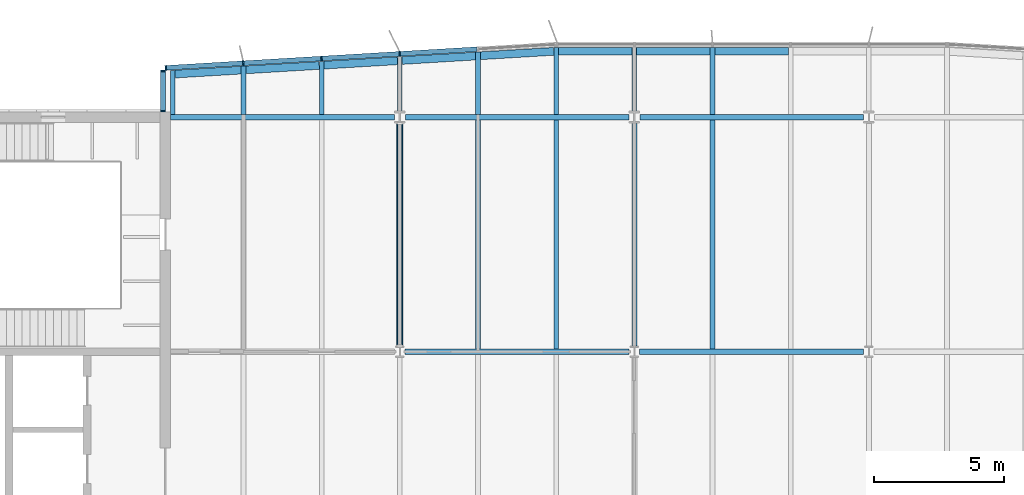
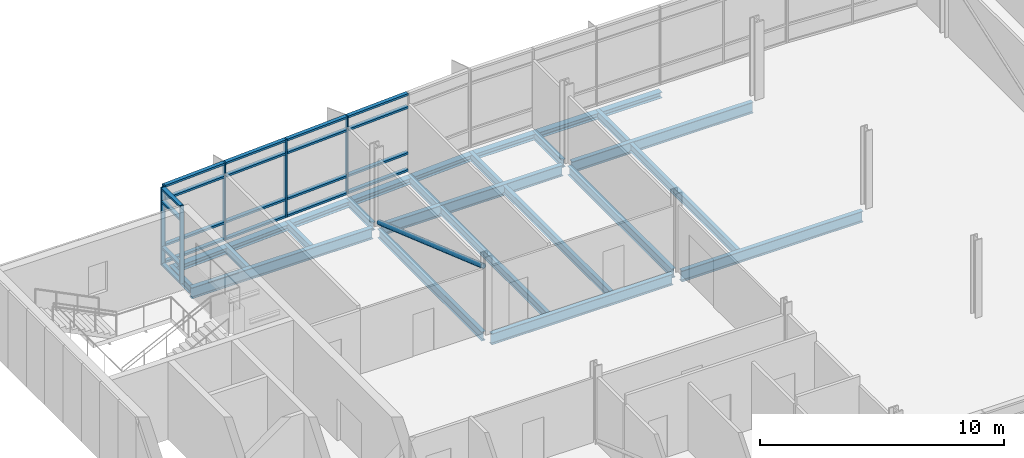
# One storey, part 4 of 20: 27 members, 26 beams, 2 elements without a shape of their own.
"""IFC4 building model written with IfcOpenShell, lengths in metres."""

from ifc_helpers import new_model, si_unit, direction, frame, origin, origin_2d, place, context, subcontext, project, spatial, rectangle, hollow_circle, i_section, extrude, material, material_profile, profile_set, type_object, element, aggregate, save


model = new_model("IFC4")

# Units and contexts
model_context = context("Model", 3, precision=1e-05, world=origin(), true_north=direction((0.0, 1.0)))
body_context = subcontext(model_context, "Body", "Model", "MODEL_VIEW")
ifc_project = project(units=[si_unit("LENGTHUNIT", "METRE"), si_unit("AREAUNIT", "SQUARE_METRE"), si_unit("VOLUMEUNIT", "CUBIC_METRE"), si_unit("PLANEANGLEUNIT", "RADIAN"), si_unit("MASSUNIT", "GRAM", prefix="KILO")], contexts=[model_context])

# Site, building, storey
site_placement = place(None, origin())
site = spatial("IfcSite", under=ifc_project, at=site_placement, CompositionType="ELEMENT")
building_placement = place(site_placement, origin())
building = spatial("IfcBuilding", under=site, at=building_placement, Name="Azimuth Sports and Learning Centre", CompositionType="ELEMENT")
storey_placement = place(building_placement, frame((0.0, 0.0, 44.10009765625)))
storey = spatial("IfcBuildingStorey", under=building, at=storey_placement, Name="L09", CompositionType="ELEMENT", Elevation=44.10009765625)

# Beams
ifc_material_1 = material(Name="Steel S355", Category="steel")
ifc_material_profile_1 = material_profile(ifc_material_1, i_section(OverallWidth=0.18994140625, OverallDepth=0.449951171875, WebThickness=0.009521484375, FlangeThickness=0.0146484375, FilletRadius=0.02099609375, at=origin_2d()), Name="IPE 450")
ifc_profile_set_1 = profile_set([ifc_material_profile_1], Name="Steel S355")
beam_type_1 = type_object("IfcBeamType", Name="Beam IPE 450", PredefinedType="BEAM", material=ifc_profile_set_1)
for number, where, z_axis, x_axis, name in (
    (1, (72.0, 108.217529296875, -0.35498046875), (0.0, 1.0, 0.0), (-1.0, 0.0, 0.0), "Tower tie"),
    (2, (81.0, 108.217529296875, -0.35498046875), (0.0, 1.0, 0.0), (-1.0, 0.0, 0.0), "Tower tie"),
):
    element("IfcBeam", number, at=place(storey_placement, frame(where, z_axis=z_axis, x_axis=x_axis)), inside=storey, type_object=beam_type_1, Name=name, PredefinedType="BEAM", context=body_context, shape_type="SweptSolid", body=[
        extrude(i_section(OverallWidth=0.18994140625, OverallDepth=0.449951171875, WebThickness=0.009521484375, FlangeThickness=0.0146484375, FilletRadius=0.02099609375, at=origin_2d()), origin(), (0.0, 0.0, 1.0), 8.54541015625),
    ])
ifc_material_2 = material(Name="Steel S355", Category="steel")
ifc_material_profile_2 = material_profile(ifc_material_2, i_section(OverallWidth=0.2099609375, OverallDepth=0.550048828125, WebThickness=0.010986328125, FlangeThickness=0.01708984375, FilletRadius=0.02392578125, at=origin_2d()), Name="IPE 550")
ifc_profile_set_2 = profile_set([ifc_material_profile_2], Name="Steel S355")
beam_type_2 = type_object("IfcBeamType", Name="Beam IPE 550", PredefinedType="BEAM", material=ifc_profile_set_2)
for number, where, z_axis, x_axis, name in (
    (3, (72.2060546875, 108.0, -0.405029296875), (1.0, 0.0, 0.0), (0.0, 1.0, 0.0), "Tower girder L09"),
    (4, (81.2060546875, 108.0, -0.405029296875), (1.0, 0.0, 0.0), (0.0, 1.0, 0.0), "Tower girder L09"),
):
    element("IfcBeam", number, at=place(storey_placement, frame(where, z_axis=z_axis, x_axis=x_axis)), inside=storey, type_object=beam_type_2, Name=name, PredefinedType="BEAM", context=body_context, shape_type="SweptSolid", body=[
        extrude(i_section(OverallWidth=0.2099609375, OverallDepth=0.550048828125, WebThickness=0.010986328125, FlangeThickness=0.01708984375, FilletRadius=0.02392578125, at=origin_2d()), origin(), (0.0, 0.0, 1.0), 8.587890625),
    ])
beam_1_placement = place(storey_placement, frame((63.199951171875, 117.0, -0.405029296875), z_axis=(1.0, 0.0, 0.0), x_axis=(0.0, 1.0, 0.0)))
element("IfcBeam", 5, at=beam_1_placement, inside=storey, type_object=beam_type_2, Name="Tower girder L09", PredefinedType="BEAM", context=body_context, shape_type="SweptSolid", body=[
    extrude(i_section(OverallWidth=0.2099609375, OverallDepth=0.550048828125, WebThickness=0.010986328125, FlangeThickness=0.01708984375, FilletRadius=0.02392578125, at=origin_2d()), origin(), (0.0, 0.0, 1.0), 8.588134765625),
])
for number, where, z_axis, x_axis, name in (
    (6, (72.2119140625, 117.0, -0.405029296875), (1.0, 0.0, 0.0), (0.0, 1.0, 0.0), "Tower girder L09"),
    (7, (81.2119140625, 117.0, -0.405029296875), (1.0, 0.0, 0.0), (0.0, 1.0, 0.0), "Tower girder L09"),
):
    element("IfcBeam", number, at=place(storey_placement, frame(where, z_axis=z_axis, x_axis=x_axis)), inside=storey, type_object=beam_type_2, Name=name, PredefinedType="BEAM", context=body_context, shape_type="SweptSolid", body=[
        extrude(i_section(OverallWidth=0.2099609375, OverallDepth=0.550048828125, WebThickness=0.010986328125, FlangeThickness=0.01708984375, FilletRadius=0.02392578125, at=origin_2d()), origin(), (0.0, 0.0, 1.0), 8.576171875),
    ])

# Member
ifc_material_3 = material(Name="Steel S355", Category="steel")
ifc_material_profile_3 = material_profile(ifc_material_3, hollow_circle(Radius=0.122314453125, WallThickness=0.012451171875, at=origin_2d()), Name="CHS 244.5x12.5")
ifc_profile_set_3 = profile_set([ifc_material_profile_3], Name="Steel S355")
member_type_1 = type_object("IfcMemberType", Name="Brace CHS 244.5x12.5", PredefinedType="BRACE", material=ifc_profile_set_3)
member_1_placement = place(storey_placement, frame((72.0, 108.236328125, 3.150390625), z_axis=(0.0, 0.94383599609, -0.330414304299), x_axis=(-1.0, 0.0, 0.0)))
element("IfcMember", 8, at=member_1_placement, inside=storey, type_object=member_type_1, Name="Tower brace 9 L09", PredefinedType="BRACE", context=body_context, shape_type="SweptSolid", body=[
    extrude(hollow_circle(Radius=0.122314453125, WallThickness=0.012451171875, at=origin_2d()), origin(), (0.0, 0.0, 1.0), 9.022705078125),
])

# Beams
ifc_material_4 = material(Name="Steel S355", Category="steel")
ifc_material_profile_4 = material_profile(ifc_material_4, i_section(OverallWidth=0.179931640625, OverallDepth=0.39990234375, WebThickness=0.008544921875, FlangeThickness=0.013427734375, FilletRadius=0.02099609375, at=origin_2d()), Name="IPE 400")
ifc_profile_set_4 = profile_set([ifc_material_profile_4], Name="Steel S355")
beam_type_3 = type_object("IfcBeamType", Name="Cantilever stub IPE 400", PredefinedType="JOIST", material=ifc_profile_set_4)
beam_2_placement = place(storey_placement, frame((63.2900390625, 117.10498046875, -0.330078125), z_axis=(0.0, 1.0, 0.0), x_axis=(-1.0, 0.0, 0.0)))
element("IfcBeam", 9, at=beam_2_placement, inside=storey, type_object=beam_type_3, Name="Tower cantilever stub", PredefinedType="JOIST", context=body_context, shape_type="SweptSolid", body=[
    extrude(i_section(OverallWidth=0.179931640625, OverallDepth=0.39990234375, WebThickness=0.008544921875, FlangeThickness=0.013427734375, FilletRadius=0.02099609375, at=origin_2d()), origin(), (0.0, 0.0, 1.0), 1.6923828125),
])
beam_3_placement = place(storey_placement, frame((66.0, 117.10498046875, -0.330078125), z_axis=(0.0, 1.0, 0.0), x_axis=(-1.0, 0.0, 0.0)))
element("IfcBeam", 10, at=beam_3_placement, inside=storey, type_object=beam_type_3, Name="Tower cantilever stub", PredefinedType="JOIST", context=body_context, shape_type="SweptSolid", body=[
    extrude(i_section(OverallWidth=0.179931640625, OverallDepth=0.39990234375, WebThickness=0.008544921875, FlangeThickness=0.013427734375, FilletRadius=0.02099609375, at=origin_2d()), origin(), (0.0, 0.0, 1.0), 1.85498046875),
])
beam_4_placement = place(storey_placement, frame((69.0, 117.10498046875, -0.330078125), z_axis=(0.0, 1.0, 0.0), x_axis=(-1.0, 0.0, 0.0)))
element("IfcBeam", 11, at=beam_4_placement, inside=storey, type_object=beam_type_3, Name="Tower cantilever stub", PredefinedType="JOIST", context=body_context, shape_type="SweptSolid", body=[
    extrude(i_section(OverallWidth=0.179931640625, OverallDepth=0.39990234375, WebThickness=0.008544921875, FlangeThickness=0.013427734375, FilletRadius=0.02099609375, at=origin_2d()), origin(), (0.0, 0.0, 1.0), 2.034912109375),
])
beam_5_placement = place(storey_placement, frame((72.0, 117.237060546875, -0.330078125), z_axis=(0.0, 1.0, 0.0), x_axis=(-1.0, 0.0, 0.0)))
element("IfcBeam", 12, at=beam_5_placement, inside=storey, type_object=beam_type_3, Name="Tower cantilever stub", PredefinedType="JOIST", context=body_context, shape_type="SweptSolid", body=[
    extrude(i_section(OverallWidth=0.179931640625, OverallDepth=0.39990234375, WebThickness=0.008544921875, FlangeThickness=0.013427734375, FilletRadius=0.02099609375, at=origin_2d()), origin(), (0.0, 0.0, 1.0), 2.0830078125),
])
beam_6_placement = place(storey_placement, frame((75.0, 117.10498046875, -0.330078125), z_axis=(0.0, 1.0, 0.0), x_axis=(-1.0, 0.0, 0.0)))
element("IfcBeam", 13, at=beam_6_placement, inside=storey, type_object=beam_type_3, Name="Tower cantilever stub", PredefinedType="JOIST", context=body_context, shape_type="SweptSolid", body=[
    extrude(i_section(OverallWidth=0.179931640625, OverallDepth=0.39990234375, WebThickness=0.008544921875, FlangeThickness=0.013427734375, FilletRadius=0.02099609375, at=origin_2d()), origin(), (0.0, 0.0, 1.0), 2.39501953125),
])
beam_7_placement = place(storey_placement, frame((78.0, 117.10498046875, -0.330078125), z_axis=(0.0, 1.0, 0.0), x_axis=(-1.0, 0.0, 0.0)))
element("IfcBeam", 14, at=beam_7_placement, inside=storey, type_object=beam_type_3, Name="Tower cantilever stub", PredefinedType="JOIST", context=body_context, shape_type="SweptSolid", body=[
    extrude(i_section(OverallWidth=0.179931640625, OverallDepth=0.39990234375, WebThickness=0.008544921875, FlangeThickness=0.013427734375, FilletRadius=0.02099609375, at=origin_2d()), origin(), (0.0, 0.0, 1.0), 2.574951171875),
])
beam_8_placement = place(storey_placement, frame((81.0, 117.237060546875, -0.330078125), z_axis=(0.0, 1.0, 0.0), x_axis=(-1.0, 0.0, 0.0)))
element("IfcBeam", 15, at=beam_8_placement, inside=storey, type_object=beam_type_3, Name="Tower cantilever stub", PredefinedType="JOIST", context=body_context, shape_type="SweptSolid", body=[
    extrude(i_section(OverallWidth=0.179931640625, OverallDepth=0.39990234375, WebThickness=0.008544921875, FlangeThickness=0.013427734375, FilletRadius=0.02099609375, at=origin_2d()), origin(), (0.0, 0.0, 1.0), 2.44287109375),
])
beam_9_placement = place(storey_placement, frame((84.0, 117.10498046875, -0.330078125), z_axis=(0.0, 1.0, 0.0), x_axis=(-1.0, 0.0, 0.0)))
element("IfcBeam", 16, at=beam_9_placement, inside=storey, type_object=beam_type_3, Name="Tower cantilever stub", PredefinedType="JOIST", context=body_context, shape_type="SweptSolid", body=[
    extrude(i_section(OverallWidth=0.179931640625, OverallDepth=0.39990234375, WebThickness=0.008544921875, FlangeThickness=0.013427734375, FilletRadius=0.02099609375, at=origin_2d()), origin(), (0.0, 0.0, 1.0), 2.574951171875),
])
ifc_material_5 = material(Name="Steel S355", Category="steel")
ifc_material_profile_5 = material_profile(ifc_material_5, i_section(OverallWidth=0.300048828125, OverallDepth=0.2900390625, WebThickness=0.008544921875, FlangeThickness=0.013916015625, FilletRadius=0.027099609375, at=origin_2d()), Name="HEA 300")
ifc_profile_set_5 = profile_set([ifc_material_profile_5], Name="Steel S355")
beam_type_4 = type_object("IfcBeamType", Name="Edge beam HEA 300", PredefinedType="SPANDREL", material=ifc_profile_set_5)
beam_10_placement = place(storey_placement, frame((63.3798828125, 118.65283203125, -0.275146484375), z_axis=(0.998203578329, 0.059913405937, 0.0), x_axis=(-0.059913405937, 0.998203578329, 0.0)))
element("IfcBeam", 17, at=beam_10_placement, inside=storey, type_object=beam_type_4, Name="Tower edge beam", PredefinedType="SPANDREL", context=body_context, shape_type="SweptSolid", body=[
    extrude(i_section(OverallWidth=0.300048828125, OverallDepth=0.2900390625, WebThickness=0.008544921875, FlangeThickness=0.013916015625, FilletRadius=0.027099609375, at=origin_2d()), origin(), (0.0, 0.0, 1.0), 2.53466796875),
])
for number, where, z_axis, x_axis, name in (
    (18, (66.090087890625, 118.8154296875, -0.275146484375), (0.998204845466, 0.059892290728, 0.0), (-0.059892290728, 0.998204845466, 0.0), "Tower edge beam"),
    (19, (69.090087890625, 118.995361328125, -0.275146484375), (0.998204845466, 0.059892290728, 0.0), (-0.059892290728, 0.998204845466, 0.0), "Tower edge beam"),
    (20, (72.090087890625, 119.17529296875, -0.275146484375), (0.998204845466, 0.059892290728, 0.0), (-0.059892290728, 0.998204845466, 0.0), "Tower edge beam"),
    (21, (75.090087890625, 119.35546875, -0.275146484375), (0.998204845466, 0.059892290728, 0.0), (-0.059892290728, 0.998204845466, 0.0), "Tower edge beam"),
):
    element("IfcBeam", number, at=place(storey_placement, frame(where, z_axis=z_axis, x_axis=x_axis)), inside=storey, type_object=beam_type_4, Name=name, PredefinedType="SPANDREL", context=body_context, shape_type="SweptSolid", body=[
        extrude(i_section(OverallWidth=0.300048828125, OverallDepth=0.2900390625, WebThickness=0.008544921875, FlangeThickness=0.013916015625, FilletRadius=0.027099609375, at=origin_2d()), origin(), (0.0, 0.0, 1.0), 2.824951171875),
    ])
for number, where, z_axis, x_axis, name in (
    (22, (78.090087890625, 119.530029296875, -0.275146484375), (1.0, 0.0, 0.0), (0.0, 1.0, 0.0), "Tower edge beam"),
    (23, (81.090087890625, 119.530029296875, -0.275146484375), (1.0, 0.0, 0.0), (0.0, 1.0, 0.0), "Tower edge beam"),
    (24, (84.090087890625, 119.530029296875, -0.275146484375), (1.0, 0.0, 0.0), (0.0, 1.0, 0.0), "Tower edge beam"),
):
    element("IfcBeam", number, at=place(storey_placement, frame(where, z_axis=z_axis, x_axis=x_axis)), inside=storey, type_object=beam_type_4, Name=name, PredefinedType="SPANDREL", context=body_context, shape_type="SweptSolid", body=[
        extrude(i_section(OverallWidth=0.300048828125, OverallDepth=0.2900390625, WebThickness=0.008544921875, FlangeThickness=0.013916015625, FilletRadius=0.027099609375, at=origin_2d()), origin(), (0.0, 0.0, 1.0), 2.81982421875),
    ])
ifc_material_6 = material(Name="Steel S355", Category="steel")
ifc_material_profile_6 = material_profile(ifc_material_6, i_section(OverallWidth=0.179931640625, OverallDepth=0.39990234375, WebThickness=0.008544921875, FlangeThickness=0.013427734375, FilletRadius=0.02099609375, at=origin_2d()), Name="IPE 400")
ifc_profile_set_6 = profile_set([ifc_material_profile_6], Name="Steel S355")
beam_type_5 = type_object("IfcBeamType", Name="Joist IPE 400", PredefinedType="JOIST", material=ifc_profile_set_6)
for number, where, z_axis, x_axis, name in (
    (25, (75.0, 108.10498046875, -0.330078125), (0.0, 1.0, 0.0), (-1.0, 0.0, 0.0), "Tower joist"),
    (26, (78.0, 108.10498046875, -0.330078125), (0.0, 1.0, 0.0), (-1.0, 0.0, 0.0), "Tower joist"),
    (27, (84.0, 108.10498046875, -0.330078125), (0.0, 1.0, 0.0), (-1.0, 0.0, 0.0), "Tower joist"),
):
    element("IfcBeam", number, at=place(storey_placement, frame(where, z_axis=z_axis, x_axis=x_axis)), inside=storey, type_object=beam_type_5, Name=name, PredefinedType="JOIST", context=body_context, shape_type="SweptSolid", body=[
        extrude(i_section(OverallWidth=0.179931640625, OverallDepth=0.39990234375, WebThickness=0.008544921875, FlangeThickness=0.013427734375, FilletRadius=0.02099609375, at=origin_2d()), origin(), (0.0, 0.0, 1.0), 8.7900390625),
    ])

# Curtain wall, members
ifc_material_7 = material(Name="Aluminium and glass", Category="aluminium")
curtain_wall_type_1 = type_object("IfcCurtainWallType", Name="Curtain wall tower north 180", PredefinedType="NOTDEFINED", material=ifc_material_7)
curtain_wall_1_placement = place(storey_placement, origin())
curtain_wall_1 = element("IfcCurtainWall", 28, at=curtain_wall_1_placement, inside=storey, type_object=curtain_wall_type_1, Name="Curtain wall CW09-009", PredefinedType="NOTDEFINED")
ifc_material_8 = material(Name="Aluminium", Category="aluminium")
ifc_material_profile_7 = material_profile(ifc_material_8, rectangle(XDim=0.179931640625, YDim=0.06005859375, at=origin_2d()), Name="Mullion 60x180")
ifc_profile_set_7 = profile_set([ifc_material_profile_7], Name="Aluminium")
member_type_2 = type_object("IfcMemberType", Name="Mullion 60x180", PredefinedType="MULLION", material=ifc_profile_set_7)
member_2_placement = place(storey_placement, frame((71.99462890625, 119.429931640625, 0.0), z_axis=(0.0, 0.0, 1.0), x_axis=(0.059891991812, -0.998204863401, 0.0)))
member_2 = element("IfcMember", 29, at=member_2_placement, type_object=member_type_2, Name="CW09-009 mullion 3", PredefinedType="MULLION", context=body_context, shape_type="SweptSolid", body=[
    extrude(rectangle(XDim=0.179931640625, YDim=0.06005859375, at=origin_2d()), origin(), (0.0, 0.0, 1.0), 3.89990234375),
])
member_3_placement = place(storey_placement, frame((68.99462890625, 119.249755859375, 0.0), z_axis=(0.0, 0.0, 1.0), x_axis=(0.059891991812, -0.998204863401, 0.0)))
member_3 = element("IfcMember", 30, at=member_3_placement, type_object=member_type_2, Name="CW09-009 mullion 4", PredefinedType="MULLION", context=body_context, shape_type="SweptSolid", body=[
    extrude(rectangle(XDim=0.179931640625, YDim=0.06005859375, at=origin_2d()), origin(), (0.0, 0.0, 1.0), 3.89990234375),
])
member_4_placement = place(storey_placement, frame((65.99462890625, 119.06982421875, 0.0), z_axis=(0.0, 0.0, 1.0), x_axis=(0.059891991812, -0.998204863401, 0.0)))
member_4 = element("IfcMember", 31, at=member_4_placement, type_object=member_type_2, Name="CW09-009 mullion 5", PredefinedType="MULLION", context=body_context, shape_type="SweptSolid", body=[
    extrude(rectangle(XDim=0.179931640625, YDim=0.06005859375, at=origin_2d()), origin(), (0.0, 0.0, 1.0), 3.89990234375),
])
member_5_placement = place(storey_placement, frame((63.024658203125, 118.8916015625, 0.0), z_axis=(0.0, 0.0, 1.0), x_axis=(0.059891991812, -0.998204863401, 0.0)))
member_5 = element("IfcMember", 32, at=member_5_placement, type_object=member_type_2, Name="CW09-009 mullion 6", PredefinedType="MULLION", context=body_context, shape_type="SweptSolid", body=[
    extrude(rectangle(XDim=0.179931640625, YDim=0.06005859375, at=origin_2d()), origin(), (0.0, 0.0, 1.0), 3.89990234375),
])

ifc_material_9 = material(Name="Aluminium and glass", Category="aluminium")
curtain_wall_type_2 = type_object("IfcCurtainWallType", Name="Curtain wall tower return 180", PredefinedType="NOTDEFINED", material=ifc_material_9)
curtain_wall_2_placement = place(storey_placement, origin())
curtain_wall_2 = element("IfcCurtainWall", 33, at=curtain_wall_2_placement, inside=storey, type_object=curtain_wall_type_2, Name="Curtain wall CW09-010", PredefinedType="NOTDEFINED")
member_6_placement = place(storey_placement, frame((62.909912109375, 118.77001953125, 0.0), z_axis=(0.0, 0.0, 1.0), x_axis=(1.0, 0.0, 0.0)))
member_6 = element("IfcMember", 34, at=member_6_placement, type_object=member_type_2, Name="CW09-010 mullion 1", PredefinedType="MULLION", context=body_context, shape_type="SweptSolid", body=[
    extrude(rectangle(XDim=0.179931640625, YDim=0.06005859375, at=origin_2d()), origin(), (0.0, 0.0, 1.0), 3.89990234375),
])
member_7_placement = place(storey_placement, frame((62.909912109375, 117.22998046875, 0.0), z_axis=(0.0, 0.0, 1.0), x_axis=(1.0, 0.0, 0.0)))
member_7 = element("IfcMember", 35, at=member_7_placement, type_object=member_type_2, Name="CW09-010 mullion 2", PredefinedType="MULLION", context=body_context, shape_type="SweptSolid", body=[
    extrude(rectangle(XDim=0.179931640625, YDim=0.06005859375, at=origin_2d()), origin(), (0.0, 0.0, 1.0), 3.89990234375),
])

# Member
ifc_material_10 = material(Name="Aluminium", Category="aluminium")
ifc_material_profile_8 = material_profile(ifc_material_10, rectangle(XDim=0.179931640625, YDim=0.10009765625, at=origin_2d()), Name="Transom 100x180")
ifc_profile_set_8 = profile_set([ifc_material_profile_8], Name="Aluminium")
member_type_3 = type_object("IfcMemberType", Name="Transom 100x180", PredefinedType="USERDEFINED", material=ifc_profile_set_8)
member_8_placement = place(storey_placement, frame((74.964599609375, 119.608154296875, 0.0498046875), z_axis=(-0.998202465912, -0.059931936792, 0.0), x_axis=(0.059931936792, -0.998202465912, 0.0)))
member_8 = element("IfcMember", 36, at=member_8_placement, type_object=member_type_3, Name="CW09-009 transom 2.1", ObjectType="TRANSOM", PredefinedType="USERDEFINED", context=body_context, shape_type="SweptSolid", body=[
    extrude(rectangle(XDim=0.179931640625, YDim=0.10009765625, at=origin_2d()), origin(), (0.0, 0.0, 1.0), 2.9453125),
])

member_9_placement = place(storey_placement, frame((74.964599609375, 119.608154296875, 0.89990234375), z_axis=(-0.998202465912, -0.059931936792, 0.0), x_axis=(0.059931936792, -0.998202465912, 0.0)))
member_9 = element("IfcMember", 37, at=member_9_placement, type_object=member_type_3, Name="CW09-009 transom 2.2", ObjectType="TRANSOM", PredefinedType="USERDEFINED", context=body_context, shape_type="SweptSolid", body=[
    extrude(rectangle(XDim=0.179931640625, YDim=0.10009765625, at=origin_2d()), origin(), (0.0, 0.0, 1.0), 2.9453125),
])

member_10_placement = place(storey_placement, frame((74.964599609375, 119.608154296875, 3.199951171875), z_axis=(-0.998202465912, -0.059931936792, 0.0), x_axis=(0.059931936792, -0.998202465912, 0.0)))
member_10 = element("IfcMember", 38, at=member_10_placement, type_object=member_type_3, Name="CW09-009 transom 2.3", ObjectType="TRANSOM", PredefinedType="USERDEFINED", context=body_context, shape_type="SweptSolid", body=[
    extrude(rectangle(XDim=0.179931640625, YDim=0.10009765625, at=origin_2d()), origin(), (0.0, 0.0, 1.0), 2.9453125),
])

member_11_placement = place(storey_placement, frame((74.964599609375, 119.608154296875, 3.849853515625), z_axis=(-0.998202465912, -0.059931936792, 0.0), x_axis=(0.059931936792, -0.998202465912, 0.0)))
member_11 = element("IfcMember", 39, at=member_11_placement, type_object=member_type_3, Name="CW09-009 transom 2.4", ObjectType="TRANSOM", PredefinedType="USERDEFINED", context=body_context, shape_type="SweptSolid", body=[
    extrude(rectangle(XDim=0.179931640625, YDim=0.10009765625, at=origin_2d()), origin(), (0.0, 0.0, 1.0), 2.9453125),
])

member_12_placement = place(storey_placement, frame((71.964599609375, 119.427978515625, 0.0498046875), z_axis=(-0.998207421552, -0.059849340505, 0.0), x_axis=(0.059849340505, -0.998207421552, 0.0)))
member_12 = element("IfcMember", 40, at=member_12_placement, type_object=member_type_3, Name="CW09-009 transom 3.1", ObjectType="TRANSOM", PredefinedType="USERDEFINED", context=body_context, shape_type="SweptSolid", body=[
    extrude(rectangle(XDim=0.179931640625, YDim=0.10009765625, at=origin_2d()), origin(), (0.0, 0.0, 1.0), 2.9453125),
])

member_13_placement = place(storey_placement, frame((71.964599609375, 119.427978515625, 0.89990234375), z_axis=(-0.998207421552, -0.059849340505, 0.0), x_axis=(0.059849340505, -0.998207421552, 0.0)))
member_13 = element("IfcMember", 41, at=member_13_placement, type_object=member_type_3, Name="CW09-009 transom 3.2", ObjectType="TRANSOM", PredefinedType="USERDEFINED", context=body_context, shape_type="SweptSolid", body=[
    extrude(rectangle(XDim=0.179931640625, YDim=0.10009765625, at=origin_2d()), origin(), (0.0, 0.0, 1.0), 2.9453125),
])

member_14_placement = place(storey_placement, frame((71.964599609375, 119.427978515625, 3.199951171875), z_axis=(-0.998207421552, -0.059849340505, 0.0), x_axis=(0.059849340505, -0.998207421552, 0.0)))
member_14 = element("IfcMember", 42, at=member_14_placement, type_object=member_type_3, Name="CW09-009 transom 3.3", ObjectType="TRANSOM", PredefinedType="USERDEFINED", context=body_context, shape_type="SweptSolid", body=[
    extrude(rectangle(XDim=0.179931640625, YDim=0.10009765625, at=origin_2d()), origin(), (0.0, 0.0, 1.0), 2.9453125),
])

member_15_placement = place(storey_placement, frame((71.964599609375, 119.427978515625, 3.849853515625), z_axis=(-0.998207421552, -0.059849340505, 0.0), x_axis=(0.059849340505, -0.998207421552, 0.0)))
member_15 = element("IfcMember", 43, at=member_15_placement, type_object=member_type_3, Name="CW09-009 transom 3.4", ObjectType="TRANSOM", PredefinedType="USERDEFINED", context=body_context, shape_type="SweptSolid", body=[
    extrude(rectangle(XDim=0.179931640625, YDim=0.10009765625, at=origin_2d()), origin(), (0.0, 0.0, 1.0), 2.9453125),
])

member_16_placement = place(storey_placement, frame((68.964599609375, 119.248046875, 0.0498046875), z_axis=(-0.998202465912, -0.059931936792, 0.0), x_axis=(0.059931936792, -0.998202465912, 0.0)))
member_16 = element("IfcMember", 44, at=member_16_placement, type_object=member_type_3, Name="CW09-009 transom 4.1", ObjectType="TRANSOM", PredefinedType="USERDEFINED", context=body_context, shape_type="SweptSolid", body=[
    extrude(rectangle(XDim=0.179931640625, YDim=0.10009765625, at=origin_2d()), origin(), (0.0, 0.0, 1.0), 2.9453125),
])

member_17_placement = place(storey_placement, frame((68.964599609375, 119.248046875, 0.89990234375), z_axis=(-0.998202465912, -0.059931936792, 0.0), x_axis=(0.059931936792, -0.998202465912, 0.0)))
member_17 = element("IfcMember", 45, at=member_17_placement, type_object=member_type_3, Name="CW09-009 transom 4.2", ObjectType="TRANSOM", PredefinedType="USERDEFINED", context=body_context, shape_type="SweptSolid", body=[
    extrude(rectangle(XDim=0.179931640625, YDim=0.10009765625, at=origin_2d()), origin(), (0.0, 0.0, 1.0), 2.9453125),
])

member_18_placement = place(storey_placement, frame((68.964599609375, 119.248046875, 3.199951171875), z_axis=(-0.998202465912, -0.059931936792, 0.0), x_axis=(0.059931936792, -0.998202465912, 0.0)))
member_18 = element("IfcMember", 46, at=member_18_placement, type_object=member_type_3, Name="CW09-009 transom 4.3", ObjectType="TRANSOM", PredefinedType="USERDEFINED", context=body_context, shape_type="SweptSolid", body=[
    extrude(rectangle(XDim=0.179931640625, YDim=0.10009765625, at=origin_2d()), origin(), (0.0, 0.0, 1.0), 2.9453125),
])

member_19_placement = place(storey_placement, frame((68.964599609375, 119.248046875, 3.849853515625), z_axis=(-0.998202465912, -0.059931936792, 0.0), x_axis=(0.059931936792, -0.998202465912, 0.0)))
member_19 = element("IfcMember", 47, at=member_19_placement, type_object=member_type_3, Name="CW09-009 transom 4.4", ObjectType="TRANSOM", PredefinedType="USERDEFINED", context=body_context, shape_type="SweptSolid", body=[
    extrude(rectangle(XDim=0.179931640625, YDim=0.10009765625, at=origin_2d()), origin(), (0.0, 0.0, 1.0), 2.9453125),
])

member_20_placement = place(storey_placement, frame((65.964599609375, 119.068115234375, 0.0498046875), z_axis=(-0.998205846627, -0.059875602377, 0.0), x_axis=(0.059875602377, -0.998205846627, 0.0)))
member_20 = element("IfcMember", 48, at=member_20_placement, type_object=member_type_3, Name="CW09-009 transom 5.1", ObjectType="TRANSOM", PredefinedType="USERDEFINED", context=body_context, shape_type="SweptSolid", body=[
    extrude(rectangle(XDim=0.179931640625, YDim=0.10009765625, at=origin_2d()), origin(), (0.0, 0.0, 1.0), 2.915283203125),
])

member_21_placement = place(storey_placement, frame((65.964599609375, 119.068115234375, 0.89990234375), z_axis=(-0.998205846627, -0.059875602377, 0.0), x_axis=(0.059875602377, -0.998205846627, 0.0)))
member_21 = element("IfcMember", 49, at=member_21_placement, type_object=member_type_3, Name="CW09-009 transom 5.2", ObjectType="TRANSOM", PredefinedType="USERDEFINED", context=body_context, shape_type="SweptSolid", body=[
    extrude(rectangle(XDim=0.179931640625, YDim=0.10009765625, at=origin_2d()), origin(), (0.0, 0.0, 1.0), 2.915283203125),
])

member_22_placement = place(storey_placement, frame((65.964599609375, 119.068115234375, 3.199951171875), z_axis=(-0.998205846627, -0.059875602377, 0.0), x_axis=(0.059875602377, -0.998205846627, 0.0)))
member_22 = element("IfcMember", 50, at=member_22_placement, type_object=member_type_3, Name="CW09-009 transom 5.3", ObjectType="TRANSOM", PredefinedType="USERDEFINED", context=body_context, shape_type="SweptSolid", body=[
    extrude(rectangle(XDim=0.179931640625, YDim=0.10009765625, at=origin_2d()), origin(), (0.0, 0.0, 1.0), 2.915283203125),
])

member_23_placement = place(storey_placement, frame((65.964599609375, 119.068115234375, 3.849853515625), z_axis=(-0.998205846627, -0.059875602377, 0.0), x_axis=(0.059875602377, -0.998205846627, 0.0)))
member_23 = element("IfcMember", 51, at=member_23_placement, type_object=member_type_3, Name="CW09-009 transom 5.4", ObjectType="TRANSOM", PredefinedType="USERDEFINED", context=body_context, shape_type="SweptSolid", body=[
    extrude(rectangle(XDim=0.179931640625, YDim=0.10009765625, at=origin_2d()), origin(), (0.0, 0.0, 1.0), 2.915283203125),
])

aggregate(curtain_wall_1, [member_2, member_3, member_4, member_5, member_8, member_9, member_10, member_11, member_12, member_13, member_14, member_15, member_16, member_17, member_18, member_19, member_20, member_21, member_22, member_23])

member_24_placement = place(storey_placement, frame((62.909912109375, 118.739990234375, 0.0498046875), z_axis=(0.0, -1.0, 0.0), x_axis=(1.0, 0.0, 0.0)))
member_24 = element("IfcMember", 52, at=member_24_placement, type_object=member_type_3, Name="CW09-010 transom 1.1", ObjectType="TRANSOM", PredefinedType="USERDEFINED", context=body_context, shape_type="SweptSolid", body=[
    extrude(rectangle(XDim=0.179931640625, YDim=0.10009765625, at=origin_2d()), origin(), (0.0, 0.0, 1.0), 1.47998046875),
])

member_25_placement = place(storey_placement, frame((62.909912109375, 118.739990234375, 0.89990234375), z_axis=(0.0, -1.0, 0.0), x_axis=(1.0, 0.0, 0.0)))
member_25 = element("IfcMember", 53, at=member_25_placement, type_object=member_type_3, Name="CW09-010 transom 1.2", ObjectType="TRANSOM", PredefinedType="USERDEFINED", context=body_context, shape_type="SweptSolid", body=[
    extrude(rectangle(XDim=0.179931640625, YDim=0.10009765625, at=origin_2d()), origin(), (0.0, 0.0, 1.0), 1.47998046875),
])

member_26_placement = place(storey_placement, frame((62.909912109375, 118.739990234375, 3.199951171875), z_axis=(0.0, -1.0, 0.0), x_axis=(1.0, 0.0, 0.0)))
member_26 = element("IfcMember", 54, at=member_26_placement, type_object=member_type_3, Name="CW09-010 transom 1.3", ObjectType="TRANSOM", PredefinedType="USERDEFINED", context=body_context, shape_type="SweptSolid", body=[
    extrude(rectangle(XDim=0.179931640625, YDim=0.10009765625, at=origin_2d()), origin(), (0.0, 0.0, 1.0), 1.47998046875),
])

member_27_placement = place(storey_placement, frame((62.909912109375, 118.739990234375, 3.849853515625), z_axis=(0.0, -1.0, 0.0), x_axis=(1.0, 0.0, 0.0)))
member_27 = element("IfcMember", 55, at=member_27_placement, type_object=member_type_3, Name="CW09-010 transom 1.4", ObjectType="TRANSOM", PredefinedType="USERDEFINED", context=body_context, shape_type="SweptSolid", body=[
    extrude(rectangle(XDim=0.179931640625, YDim=0.10009765625, at=origin_2d()), origin(), (0.0, 0.0, 1.0), 1.47998046875),
])

aggregate(curtain_wall_2, [member_6, member_7, member_24, member_25, member_26, member_27])

save(model, "model.ifc")
